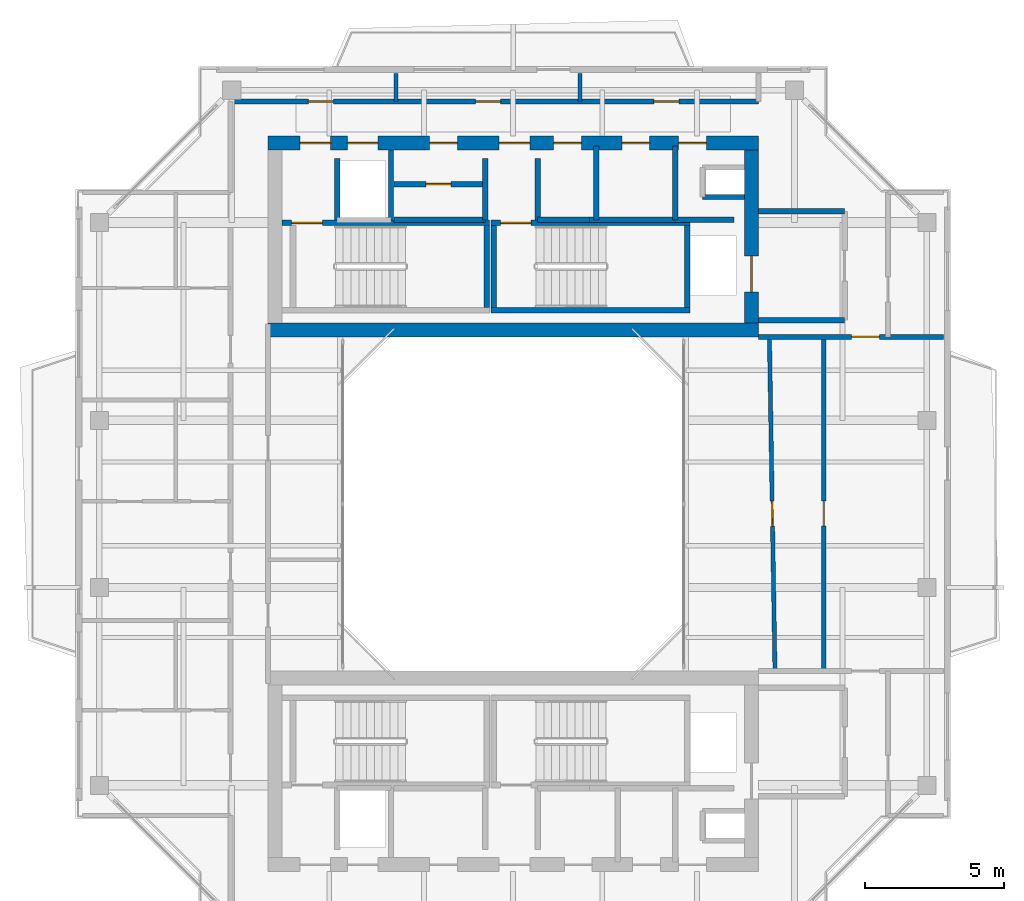
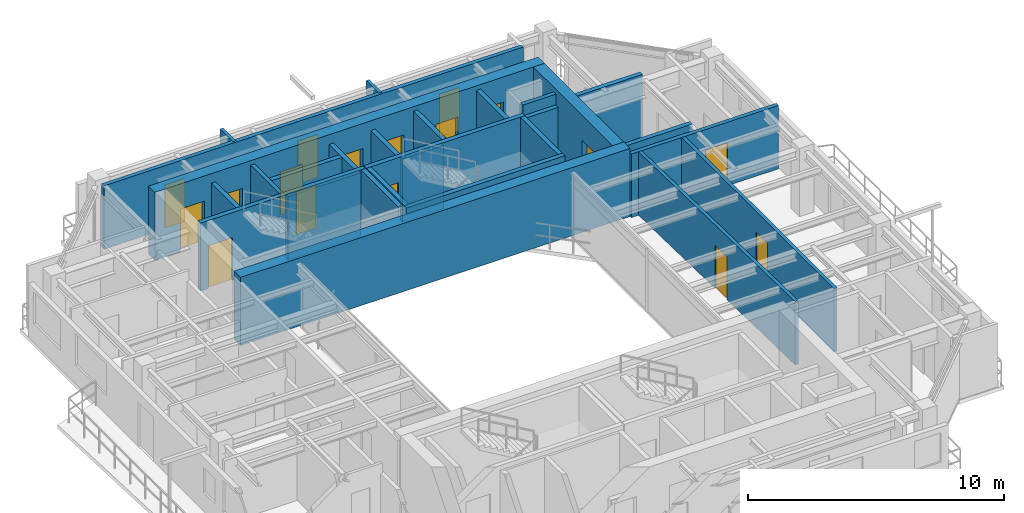
# One storey, part 11 of 14: 28 walls, 17 doors, 17 openings.
"""IFC4 building model written with IfcOpenShell, lengths in metres."""

from ifc_helpers import new_model, si_unit, direction, frame, frame_2d, origin, place, context, subcontext, project, spatial, rectangle, extrude, source, transform, mapped, material, layer, layer_set, type_object, element, fill, save


model = new_model("IFC4")

# Units and contexts
model_context = context("Model", 3, precision=1e-05, world=origin(), true_north=direction((0.0, 1.0)))
body_context = subcontext(model_context, "Body", "Model", "MODEL_VIEW")
ifc_project = project(units=[si_unit("LENGTHUNIT", "METRE"), si_unit("AREAUNIT", "SQUARE_METRE"), si_unit("VOLUMEUNIT", "CUBIC_METRE"), si_unit("PLANEANGLEUNIT", "RADIAN"), si_unit("MASSUNIT", "GRAM", prefix="KILO"), si_unit("THERMODYNAMICTEMPERATUREUNIT", "KELVIN"), si_unit("POWERUNIT", "WATT")], contexts=[model_context])

# Site, building, storey
site_placement = place(None, origin())
site = spatial("IfcSite", under=ifc_project, at=site_placement, CompositionType="ELEMENT")
building_placement = place(site_placement, origin())
building = spatial("IfcBuilding", under=site, at=building_placement, Name="Qiaomeng Ring Towers", CompositionType="ELEMENT")
storey_placement = place(building_placement, frame((0.0, 0.0, 260.0)))
storey = spatial("IfcBuildingStorey", under=building, at=storey_placement, Name="L76", CompositionType="ELEMENT", Elevation=260.0)

# Walls
ifc_material_1 = material(Name="Autoclaved aerated concrete block", Category="concrete")
ifc_layer_1 = layer(ifc_material_1, 0.199951171875, Name="Autoclaved aerated concrete block")
ifc_layer_set_1 = layer_set([ifc_layer_1], Name="Autoclaved aerated concrete block")
wall_type_1 = type_object("IfcWallType", Name="ARC-WL-PW1", PredefinedType="PARTITIONING", material=ifc_layer_set_1)
for number, where, z_axis, x_axis, name in (
    (1, (27.800048828125, 29.60009765625, 0.0), (0.0, 0.0, 1.0), (1.0, 0.0, 0.0), "L76 Interior Wall PW1"),
    (2, (27.800048828125, 33.5, 0.0), (0.0, 0.0, 1.0), (1.0, 0.0, 0.0), "L76 Interior Wall PW1"),
):
    element("IfcWall", number, at=place(storey_placement, frame(where, z_axis=z_axis, x_axis=x_axis)), inside=storey, type_object=wall_type_1, Name=name, PredefinedType="PARTITIONING", context=body_context, shape_type="SweptSolid", body=[
        extrude(rectangle(XDim=3.099853515625, YDim=0.199951171875, at=frame_2d((1.5498046875, 0.0))), origin(), (0.0, 0.0, 1.0), 3.030029296875),
    ])
for number, where, z_axis, x_axis, name in (
    (3, (12.679931640625, 33.18994140625, 0.0), (0.0, 0.0, 1.0), (0.0, 1.0, 0.0), "L76 Interior Wall PW1"),
    (4, (18.0, 33.18994140625, 0.0), (0.0, 0.0, 1.0), (0.0, 1.0, 0.0), "L76 Interior Wall PW1"),
    (5, (19.8798828125, 33.18994140625, 0.0), (0.0, 0.0, 1.0), (0.0, 1.0, 0.0), "L76 Interior Wall PW1"),
):
    element("IfcWall", number, at=place(storey_placement, frame(where, z_axis=z_axis, x_axis=x_axis)), inside=storey, type_object=wall_type_1, Name=name, PredefinedType="PARTITIONING", context=body_context, shape_type="SweptSolid", body=[
        extrude(rectangle(XDim=2.2099609375, YDim=0.199951171875, at=frame_2d((1.10498046875, 0.0))), origin(), (0.0, 0.0, 1.0), 3.030029296875),
    ])

# Wall, opening, door
wall_1_placement = place(storey_placement, frame((14.719970703125, 34.47998046875, 0.0), z_axis=(0.0, 0.0, 1.0), x_axis=(1.0, 0.0, 0.0)))
wall_1 = element("IfcWall", 6, at=wall_1_placement, inside=storey, type_object=wall_type_1, Name="L76 Interior Wall PW1", PredefinedType="PARTITIONING", context=body_context, shape_type="SweptSolid", body=[
    extrude(rectangle(XDim=3.280029296875, YDim=0.199951171875, at=frame_2d((1.64013671875, 0.0))), origin(), (0.0, 0.0, 1.0), 3.030029296875),
])
opening_1_placement = place(wall_1_placement, frame((1.14990234375, 0.0, 0.0)))
opening_1 = element("IfcOpeningElement", 7, at=opening_1_placement, cuts=wall_1, Name="Opening ID1", PredefinedType="OPENING", context=body_context, shape_type="SweptSolid", body=[
    extrude(rectangle(XDim=0.89990234375, YDim=2.050048828125, at=frame_2d((0.449951171875, 1.02490234375))), frame((0.0, 0.10986328125, 0.0), z_axis=(0.0, -1.0, 0.0), x_axis=(1.0, 0.0, 0.0)), (0.0, 0.0, 1.0), 0.219970703125),
])
ifc_material_2 = material(Name="Engineered oak timber", Category="wood")
door_type_1 = type_object("IfcDoorType", Name="ARC-DR-ID1", OperationType="NOTDEFINED", PredefinedType="DOOR", material=ifc_material_2)
shared_shape_1 = source(origin(), body_context, "Body", "SweptSolid", [
    extrude(rectangle(XDim=0.89990234375, YDim=2.050048828125, at=frame_2d((0.449951171875, 1.02490234375))), frame((0.0, 0.02490234375, 0.0), z_axis=(0.0, -1.0, 0.0), x_axis=(1.0, 0.0, 0.0)), (0.0, 0.0, 1.0), 0.050048828125),
])
door_1_placement = place(opening_1_placement, origin())
door_1 = element("IfcDoor", 8, at=door_1_placement, inside=storey, type_object=door_type_1, Name="L76 Door ID1", OperationType="SINGLE_SWING_LEFT", OverallHeight=2.050048828125, OverallWidth=0.89990234375, PredefinedType="DOOR", context=body_context, shape_type="MappedRepresentation", body=[
    mapped(shared_shape_1, transform((0.0, 0.0, 0.0), x_axis=(1.0, 0.0, 0.0), y_axis=(0.0, 1.0, 0.0), z_axis=(0.0, 0.0, 1.0), scale=1.0)),
])
fill(opening_1, door_1)

# Walls
wall_2_placement = place(storey_placement, frame((14.719970703125, 33.199951171875, 0.0), z_axis=(0.0, 0.0, 1.0), x_axis=(1.0, 0.0, 0.0)))
element("IfcWall", 9, at=wall_2_placement, inside=storey, type_object=wall_type_1, Name="L76 Interior Wall PW1", PredefinedType="PARTITIONING", context=body_context, shape_type="SweptSolid", body=[
    extrude(rectangle(XDim=3.280029296875, YDim=0.199951171875, at=frame_2d((1.64013671875, 0.0))), origin(), (0.0, 0.0, 1.0), 3.030029296875),
])
wall_3_placement = place(storey_placement, frame((24.820068359375, 33.199951171875, 0.0), z_axis=(0.0, 0.0, 1.0), x_axis=(0.0, 1.0, 0.0)))
element("IfcWall", 10, at=wall_3_placement, inside=storey, type_object=wall_type_1, Name="L76 Interior Wall PW1", PredefinedType="PARTITIONING", context=body_context, shape_type="SweptSolid", body=[
    extrude(rectangle(XDim=2.650146484375, YDim=0.199951171875, at=frame_2d((1.3251953125, 0.0))), origin(), (0.0, 0.0, 1.0), 3.030029296875),
])
wall_4_placement = place(storey_placement, frame((19.8798828125, 33.199951171875, 0.0), z_axis=(0.0, 0.0, 1.0), x_axis=(1.0, 0.0, 0.0)))
element("IfcWall", 11, at=wall_4_placement, inside=storey, type_object=wall_type_1, Name="L76 Interior Wall PW1", PredefinedType="PARTITIONING", context=body_context, shape_type="SweptSolid", body=[
    extrude(rectangle(XDim=1.8701171875, YDim=0.199951171875, at=frame_2d((0.93505859375, 0.0))), origin(), (0.0, 0.0, 1.0), 3.030029296875),
])
wall_5_placement = place(storey_placement, frame((21.97998046875, 33.199951171875, 0.0), z_axis=(0.0, 0.0, 1.0), x_axis=(0.0, 1.0, 0.0)))
element("IfcWall", 12, at=wall_5_placement, inside=storey, type_object=wall_type_1, Name="L76 Interior Wall PW1", PredefinedType="PARTITIONING", context=body_context, shape_type="SweptSolid", body=[
    extrude(rectangle(XDim=2.650146484375, YDim=0.199951171875, at=frame_2d((1.3251953125, 0.0))), origin(), (0.0, 0.0, 1.0), 3.030029296875),
])
wall_6_placement = place(storey_placement, frame((21.75, 33.199951171875, 0.0), z_axis=(0.0, 0.0, 1.0), x_axis=(1.0, 0.0, 0.0)))
element("IfcWall", 13, at=wall_6_placement, inside=storey, type_object=wall_type_1, Name="L76 Interior Wall PW1", PredefinedType="PARTITIONING", context=body_context, shape_type="SweptSolid", body=[
    extrude(rectangle(XDim=5.169921875, YDim=0.199951171875, at=frame_2d((2.5849609375, 0.0))), origin(), (0.0, 0.0, 1.0), 3.030029296875),
])

# Wall, openings, doors
ifc_layer_2 = layer(ifc_material_1, 0.179931640625, Name="Autoclaved aerated concrete block")
ifc_layer_set_2 = layer_set([ifc_layer_2], Name="Autoclaved aerated concrete block")
wall_type_2 = type_object("IfcWallType", Name="ARC-WL-PW2", PredefinedType="PARTITIONING", material=ifc_layer_set_2)
wall_7_placement = place(storey_placement, frame((8.85009765625, 37.43994140625, 0.0), z_axis=(0.0, 0.0, 1.0), x_axis=(1.0, 0.0, 0.0)))
wall_7 = element("IfcWall", 14, at=wall_7_placement, inside=storey, type_object=wall_type_2, Name="L76 Interior Wall PW2", PredefinedType="PARTITIONING", context=body_context, shape_type="SweptSolid", body=[
    extrude(rectangle(XDim=18.949951171875, YDim=0.179931640625, at=frame_2d((9.47509765625, 0.0))), origin(), (0.0, 0.0, 1.0), 3.030029296875),
])
opening_2_placement = place(wall_7_placement, frame((2.800048828125, 0.0, 0.0)))
opening_2 = element("IfcOpeningElement", 15, at=opening_2_placement, cuts=wall_7, Name="Opening ID1", PredefinedType="OPENING", context=body_context, shape_type="SweptSolid", body=[
    extrude(rectangle(XDim=0.89990234375, YDim=2.050048828125, at=frame_2d((0.449951171875, 1.02490234375))), frame((0.0, 0.099853515625, 0.0), z_axis=(0.0, -1.0, 0.0), x_axis=(1.0, 0.0, 0.0)), (0.0, 0.0, 1.0), 0.199951171875),
])
opening_3_placement = place(wall_7_placement, frame((8.800048828125, 0.0, 0.0)))
opening_3 = element("IfcOpeningElement", 16, at=opening_3_placement, cuts=wall_7, Name="Opening ID1", PredefinedType="OPENING", context=body_context, shape_type="SweptSolid", body=[
    extrude(rectangle(XDim=0.89990234375, YDim=2.050048828125, at=frame_2d((0.449951171875, 1.02490234375))), frame((0.0, 0.099853515625, 0.0), z_axis=(0.0, -1.0, 0.0), x_axis=(1.0, 0.0, 0.0)), (0.0, 0.0, 1.0), 0.199951171875),
])
opening_4_placement = place(wall_7_placement, frame((15.199951171875, 0.0, 0.0)))
opening_4 = element("IfcOpeningElement", 17, at=opening_4_placement, cuts=wall_7, Name="Opening ID1", PredefinedType="OPENING", context=body_context, shape_type="SweptSolid", body=[
    extrude(rectangle(XDim=0.89990234375, YDim=2.050048828125, at=frame_2d((0.449951171875, 1.02490234375))), frame((0.0, 0.099853515625, 0.0), z_axis=(0.0, -1.0, 0.0), x_axis=(1.0, 0.0, 0.0)), (0.0, 0.0, 1.0), 0.199951171875),
])
door_2_placement = place(opening_2_placement, origin())
door_2 = element("IfcDoor", 18, at=door_2_placement, inside=storey, type_object=door_type_1, Name="L76 Door ID1", OperationType="SINGLE_SWING_RIGHT", OverallHeight=2.050048828125, OverallWidth=0.89990234375, PredefinedType="DOOR", context=body_context, shape_type="MappedRepresentation", body=[
    mapped(shared_shape_1, transform((0.0, 0.0, 0.0), x_axis=(1.0, 0.0, 0.0), y_axis=(0.0, 1.0, 0.0), z_axis=(0.0, 0.0, 1.0), scale=1.0)),
])
fill(opening_2, door_2)
door_3_placement = place(opening_3_placement, origin())
door_3 = element("IfcDoor", 19, at=door_3_placement, inside=storey, type_object=door_type_1, Name="L76 Door ID1", OperationType="SINGLE_SWING_LEFT", OverallHeight=2.050048828125, OverallWidth=0.89990234375, PredefinedType="DOOR", context=body_context, shape_type="MappedRepresentation", body=[
    mapped(shared_shape_1, transform((0.0, 0.0, 0.0), x_axis=(1.0, 0.0, 0.0), y_axis=(0.0, 1.0, 0.0), z_axis=(0.0, 0.0, 1.0), scale=1.0)),
])
fill(opening_3, door_3)
door_4_placement = place(opening_4_placement, origin())
door_4 = element("IfcDoor", 20, at=door_4_placement, inside=storey, type_object=door_type_1, Name="L76 Door ID1", OperationType="SINGLE_SWING_RIGHT", OverallHeight=2.050048828125, OverallWidth=0.89990234375, PredefinedType="DOOR", context=body_context, shape_type="MappedRepresentation", body=[
    mapped(shared_shape_1, transform((0.0, 0.0, 0.0), x_axis=(1.0, 0.0, 0.0), y_axis=(0.0, 1.0, 0.0), z_axis=(0.0, 0.0, 1.0), scale=1.0)),
])
fill(opening_4, door_4)

# Wall, opening, door
wall_8_placement = place(storey_placement, frame((27.800048828125, 29.0, 0.0), z_axis=(0.0, 0.0, 1.0), x_axis=(1.0, 0.0, 0.0)))
wall_8 = element("IfcWall", 21, at=wall_8_placement, inside=storey, type_object=wall_type_2, Name="L76 Interior Wall PW2", PredefinedType="PARTITIONING", context=body_context, shape_type="SweptSolid", body=[
    extrude(rectangle(XDim=6.64990234375, YDim=0.179931640625, at=frame_2d((3.324951171875, 0.0))), origin(), (0.0, 0.0, 1.0), 3.030029296875),
])
opening_5_placement = place(wall_8_placement, frame((3.35009765625, 0.0, 0.0)))
opening_5 = element("IfcOpeningElement", 22, at=opening_5_placement, cuts=wall_8, Name="Opening FD4", PredefinedType="OPENING", context=body_context, shape_type="SweptSolid", body=[
    extrude(rectangle(XDim=1.0, YDim=2.050048828125, at=frame_2d((0.5, 1.02490234375))), frame((0.0, 0.099853515625, 0.0), z_axis=(0.0, -1.0, 0.0), x_axis=(1.0, 0.0, 0.0)), (0.0, 0.0, 1.0), 0.199951171875),
])
ifc_material_3 = material(Name="Engineered fire-rated oak timber", Category="wood")
door_type_2 = type_object("IfcDoorType", Name="ARC-DR-FD4", OperationType="NOTDEFINED", PredefinedType="DOOR", material=ifc_material_3)
shared_shape_2 = source(origin(), body_context, "Body", "SweptSolid", [
    extrude(rectangle(XDim=1.0, YDim=2.050048828125, at=frame_2d((0.5, 1.02490234375))), frame((0.0, 0.02490234375, 0.0), z_axis=(0.0, -1.0, 0.0), x_axis=(1.0, 0.0, 0.0)), (0.0, 0.0, 1.0), 0.050048828125),
])
door_5_placement = place(opening_5_placement, origin())
door_5 = element("IfcDoor", 23, at=door_5_placement, inside=storey, type_object=door_type_2, Name="L76 Door FD4", OperationType="SINGLE_SWING_RIGHT", OverallHeight=2.050048828125, OverallWidth=1.0, PredefinedType="DOOR", context=body_context, shape_type="MappedRepresentation", body=[
    mapped(shared_shape_2, transform((0.0, 0.0, 0.0), x_axis=(1.0, 0.0, 0.0), y_axis=(0.0, 1.0, 0.0), z_axis=(0.0, 0.0, 1.0), scale=1.0)),
])
fill(opening_5, door_5)

# Walls
ifc_material_4 = material(Name="Gypsum fireboard steel-stud partition", Category="steel")
ifc_layer_3 = layer(ifc_material_4, 0.14990234375, Name="Gypsum fireboard steel-stud partition")
ifc_layer_set_3 = layer_set([ifc_layer_3], Name="Gypsum fireboard steel-stud partition")
wall_type_3 = type_object("IfcWallType", Name="ARC-WL-PW3", PredefinedType="PARTITIONING", material=ifc_layer_set_3)
for number, where, z_axis, x_axis, name in (
    (24, (14.800048828125, 37.43994140625, 0.0), (0.0, 0.0, 1.0), (0.0, 1.0, 0.0), "L76 Interior Wall PW3"),
    (25, (21.39990234375, 37.43994140625, 0.0), (0.0, 0.0, 1.0), (0.0, 1.0, 0.0), "L76 Interior Wall PW3"),
):
    element("IfcWall", number, at=place(storey_placement, frame(where, z_axis=z_axis, x_axis=x_axis)), inside=storey, type_object=wall_type_3, Name=name, PredefinedType="PARTITIONING", context=body_context, shape_type="SweptSolid", body=[
        extrude(rectangle(XDim=1.010009765625, YDim=0.14990234375, at=frame_2d((0.5048828125, 0.0))), origin(), (0.0, 0.0, 1.0), 3.030029296875),
    ])

# Wall, opening, door
wall_9_placement = place(storey_placement, frame((28.199951171875, 29.0, 0.0), z_axis=(0.0, 0.0, 1.0), x_axis=(0.016660285018, -0.99986120782, 0.0)))
wall_9 = element("IfcWall", 26, at=wall_9_placement, inside=storey, type_object=wall_type_3, Name="L76 Interior Wall PW3", PredefinedType="PARTITIONING", context=body_context, shape_type="SweptSolid", body=[
    extrude(rectangle(XDim=12.001708984375, YDim=0.14990234375, at=frame_2d((6.0009765625, 0.0))), origin(), (0.0, 0.0, 1.0), 3.030029296875),
])
opening_6_placement = place(wall_9_placement, frame((5.902099609375, 0.0, 0.0)))
opening_6 = element("IfcOpeningElement", 27, at=opening_6_placement, cuts=wall_9, Name="Opening ID1", PredefinedType="OPENING", context=body_context, shape_type="SweptSolid", body=[
    extrude(rectangle(XDim=0.89990234375, YDim=2.050048828125, at=frame_2d((0.449951171875, 1.02490234375))), frame((0.0, 0.0849609375, 0.0), z_axis=(0.0, -1.0, 0.0), x_axis=(1.0, 0.0, 0.0)), (0.0, 0.0, 1.0), 0.169921875),
])
door_6_placement = place(opening_6_placement, frame((0.89990234375, 0.0, 0.0), z_axis=(0.0, 0.0, 1.0), x_axis=(-1.0, 0.0, 0.0)))
door_6 = element("IfcDoor", 28, at=door_6_placement, inside=storey, type_object=door_type_1, Name="L76 Door ID1", OperationType="SINGLE_SWING_LEFT", OverallHeight=2.050048828125, OverallWidth=0.89990234375, PredefinedType="DOOR", context=body_context, shape_type="MappedRepresentation", body=[
    mapped(shared_shape_1, transform((0.0, 0.0, 0.0), x_axis=(1.0, 0.0, 0.0), y_axis=(0.0, 1.0, 0.0), z_axis=(0.0, 0.0, 1.0), scale=1.0)),
])
fill(opening_6, door_6)

wall_10_placement = place(storey_placement, frame((30.14990234375, 17.0, 0.0), z_axis=(0.0, 0.0, 1.0), x_axis=(0.0, 1.0, 0.0)))
wall_10 = element("IfcWall", 29, at=wall_10_placement, inside=storey, type_object=wall_type_3, Name="L76 Interior Wall PW3", PredefinedType="PARTITIONING", context=body_context, shape_type="SweptSolid", body=[
    extrude(rectangle(XDim=12.0, YDim=0.14990234375, at=frame_2d((6.0, 0.0))), origin(), (0.0, 0.0, 1.0), 3.030029296875),
])
opening_7_placement = place(wall_10_placement, frame((5.199951171875, 0.0, 0.0)))
opening_7 = element("IfcOpeningElement", 30, at=opening_7_placement, cuts=wall_10, Name="Opening ID1", PredefinedType="OPENING", context=body_context, shape_type="SweptSolid", body=[
    extrude(rectangle(XDim=0.89990234375, YDim=2.050048828125, at=frame_2d((0.449951171875, 1.02490234375))), frame((0.0, 0.0849609375, 0.0), z_axis=(0.0, -1.0, 0.0), x_axis=(1.0, 0.0, 0.0)), (0.0, 0.0, 1.0), 0.169921875),
])
door_7_placement = place(opening_7_placement, origin())
door_7 = element("IfcDoor", 31, at=door_7_placement, inside=storey, type_object=door_type_1, Name="L76 Door ID1", OperationType="SINGLE_SWING_RIGHT", OverallHeight=2.050048828125, OverallWidth=0.89990234375, PredefinedType="DOOR", context=body_context, shape_type="MappedRepresentation", body=[
    mapped(shared_shape_1, transform((0.0, 0.0, 0.0), x_axis=(1.0, 0.0, 0.0), y_axis=(0.0, 1.0, 0.0), z_axis=(0.0, 0.0, 1.0), scale=1.0)),
])
fill(opening_7, door_7)

# Walls
ifc_material_5 = material(Name="Concrete C40", Category="concrete")
ifc_layer_4 = layer(ifc_material_5, 0.199951171875, Name="Concrete C40")
ifc_layer_set_4 = layer_set([ifc_layer_4], Name="Concrete C40")
wall_type_4 = type_object("IfcWallType", Name="STR-WL-STSHAFT", PredefinedType="SHEAR", material=ifc_layer_set_4)
wall_11_placement = place(storey_placement, frame((14.6201171875, 33.199951171875, 0.0), z_axis=(0.0, 0.0, 1.0), x_axis=(0.0, 1.0, 0.0)))
element("IfcWall", 32, at=wall_11_placement, inside=storey, type_object=wall_type_4, Name="L76 Lift LP5-LP3 Shaft Divider Wall", PredefinedType="SHEAR", context=body_context, shape_type="SweptSolid", body=[
    extrude(rectangle(XDim=2.5, YDim=0.179931640625, at=frame_2d((1.25, 0.0))), origin(), (0.0, 0.0, 1.0), 3.030029296875),
])
wall_12_placement = place(storey_placement, frame((25.800048828125, 34.02001953125, 0.0), z_axis=(0.0, 0.0, 1.0), x_axis=(1.0, 0.0, 0.0)))
element("IfcWall", 33, at=wall_12_placement, inside=storey, type_object=wall_type_4, Name="L76 Riser RSR1 South Shaft Wall N", PredefinedType="SHEAR", context=body_context, shape_type="SweptSolid", body=[
    extrude(rectangle(XDim=1.5, YDim=0.179931640625, at=frame_2d((0.75, 0.0))), origin(), (0.0, 0.0, 1.0), 3.030029296875),
])

# Wall, opening, door
wall_13_placement = place(storey_placement, frame((10.699951171875, 33.090087890625, 0.0), z_axis=(0.0, 0.0, 1.0), x_axis=(1.0, 0.0, 0.0)))
wall_13 = element("IfcWall", 34, at=wall_13_placement, inside=storey, type_object=wall_type_4, Name="L76 Stair ST1 North Shaft Shear Wall", PredefinedType="SHEAR", context=body_context, shape_type="SweptSolid", body=[
    extrude(rectangle(XDim=7.449951171875, YDim=0.199951171875, at=frame_2d((3.72509765625, 0.0))), origin(), (0.0, 0.0, 1.0), 3.25),
])
opening_8_placement = place(wall_13_placement, frame((0.35009765625, 0.0, 0.0)))
opening_8 = element("IfcOpeningElement", 35, at=opening_8_placement, cuts=wall_13, Name="Opening FD3", PredefinedType="OPENING", context=body_context, shape_type="SweptSolid", body=[
    extrude(rectangle(XDim=1.10009765625, YDim=2.050048828125, at=frame_2d((0.550048828125, 1.02490234375))), frame((0.0, 0.10986328125, 0.0), z_axis=(0.0, -1.0, 0.0), x_axis=(1.0, 0.0, 0.0)), (0.0, 0.0, 1.0), 0.219970703125),
])
ifc_material_6 = material(Name="Galvanised steel", Category="steel")
door_type_3 = type_object("IfcDoorType", Name="ARC-DR-FD3", OperationType="NOTDEFINED", PredefinedType="DOOR", material=ifc_material_6)
shared_shape_3 = source(origin(), body_context, "Body", "SweptSolid", [
    extrude(rectangle(XDim=1.10009765625, YDim=2.050048828125, at=frame_2d((0.550048828125, 1.02490234375))), frame((0.0, 0.02490234375, 0.0), z_axis=(0.0, -1.0, 0.0), x_axis=(1.0, 0.0, 0.0)), (0.0, 0.0, 1.0), 0.050048828125),
])
door_8_placement = place(opening_8_placement, origin())
door_8 = element("IfcDoor", 36, at=door_8_placement, inside=storey, type_object=door_type_3, Name="L76 Stair ST1 Exit Door", OperationType="SINGLE_SWING_RIGHT", OverallHeight=2.050048828125, OverallWidth=1.10009765625, PredefinedType="DOOR", context=body_context, shape_type="MappedRepresentation", body=[
    mapped(shared_shape_3, transform((0.0, 0.0, 0.0), x_axis=(1.0, 0.0, 0.0), y_axis=(0.0, 1.0, 0.0), z_axis=(0.0, 0.0, 1.0), scale=1.0)),
])
fill(opening_8, door_8)

# Walls
wall_14_placement = place(storey_placement, frame((18.050048828125, 30.050048828125, 0.0), z_axis=(0.0, 0.0, 1.0), x_axis=(0.0, 1.0, 0.0)))
element("IfcWall", 37, at=wall_14_placement, inside=storey, type_object=wall_type_4, Name="L76 Stair ST1 East Shaft Shear Wall", PredefinedType="SHEAR", context=body_context, shape_type="SweptSolid", body=[
    extrude(rectangle(XDim=2.93994140625, YDim=0.199951171875, at=frame_2d((1.469970703125, 0.0))), origin(), (0.0, 0.0, 1.0), 3.25),
])
wall_15_placement = place(storey_placement, frame((18.199951171875, 29.949951171875, 0.0), z_axis=(0.0, 0.0, 1.0), x_axis=(1.0, 0.0, 0.0)))
element("IfcWall", 38, at=wall_15_placement, inside=storey, type_object=wall_type_4, Name="L76 Stair ST2 South Shaft Shear Wall", PredefinedType="SHEAR", context=body_context, shape_type="SweptSolid", body=[
    extrude(rectangle(XDim=7.150146484375, YDim=0.199951171875, at=frame_2d((3.5751953125, 0.0))), origin(), (0.0, 0.0, 1.0), 3.25),
])

# Wall, opening, door
wall_16_placement = place(storey_placement, frame((18.199951171875, 33.090087890625, 0.0), z_axis=(0.0, 0.0, 1.0), x_axis=(1.0, 0.0, 0.0)))
wall_16 = element("IfcWall", 39, at=wall_16_placement, inside=storey, type_object=wall_type_4, Name="L76 Stair ST2 North Shaft Shear Wall", PredefinedType="SHEAR", context=body_context, shape_type="SweptSolid", body=[
    extrude(rectangle(XDim=7.150146484375, YDim=0.199951171875, at=frame_2d((3.5751953125, 0.0))), origin(), (0.0, 0.0, 1.0), 3.25),
])
opening_9_placement = place(wall_16_placement, frame((0.35009765625, 0.0, 0.0)))
opening_9 = element("IfcOpeningElement", 40, at=opening_9_placement, cuts=wall_16, Name="Opening FD3", PredefinedType="OPENING", context=body_context, shape_type="SweptSolid", body=[
    extrude(rectangle(XDim=1.10009765625, YDim=2.050048828125, at=frame_2d((0.550048828125, 1.02490234375))), frame((0.0, 0.10986328125, 0.0), z_axis=(0.0, -1.0, 0.0), x_axis=(1.0, 0.0, 0.0)), (0.0, 0.0, 1.0), 0.219970703125),
])
door_9_placement = place(opening_9_placement, origin())
door_9 = element("IfcDoor", 41, at=door_9_placement, inside=storey, type_object=door_type_3, Name="L76 Stair ST2 Exit Door", OperationType="SINGLE_SWING_RIGHT", OverallHeight=2.050048828125, OverallWidth=1.10009765625, PredefinedType="DOOR", context=body_context, shape_type="MappedRepresentation", body=[
    mapped(shared_shape_3, transform((0.0, 0.0, 0.0), x_axis=(1.0, 0.0, 0.0), y_axis=(0.0, 1.0, 0.0), z_axis=(0.0, 0.0, 1.0), scale=1.0)),
])
fill(opening_9, door_9)

# Walls
for number, where, z_axis, x_axis, name in (
    (42, (18.300048828125, 30.050048828125, 0.0), (0.0, 0.0, 1.0), (0.0, 1.0, 0.0), "L76 Stair ST2 West Shaft Shear Wall"),
    (43, (25.25, 30.050048828125, 0.0), (0.0, 0.0, 1.0), (0.0, 1.0, 0.0), "L76 Stair ST2 East Shaft Shear Wall"),
):
    element("IfcWall", number, at=place(storey_placement, frame(where, z_axis=z_axis, x_axis=x_axis)), inside=storey, type_object=wall_type_4, Name=name, PredefinedType="SHEAR", context=body_context, shape_type="SweptSolid", body=[
        extrude(rectangle(XDim=2.93994140625, YDim=0.199951171875, at=frame_2d((1.469970703125, 0.0))), origin(), (0.0, 0.0, 1.0), 3.25),
    ])
ifc_layer_5 = layer(ifc_material_5, 0.5, Name="Concrete C40")
ifc_layer_set_5 = layer_set([ifc_layer_5], Name="Concrete C40")
wall_type_5 = type_object("IfcWallType", Name="STR-WL-SW3", PredefinedType="SHEAR", material=ifc_layer_set_5)
wall_17_placement = place(storey_placement, frame((10.199951171875, 29.25, 0.0), z_axis=(0.0, 0.0, 1.0), x_axis=(1.0, 0.0, 0.0)))
element("IfcWall", 44, at=wall_17_placement, inside=storey, type_object=wall_type_5, Name="L76 T1NC south core shear wall", PredefinedType="SHEAR", context=body_context, shape_type="SweptSolid", body=[
    extrude(rectangle(XDim=17.60009765625, YDim=0.5, at=frame_2d((8.800048828125, 0.0))), origin(), (0.0, 0.0, 1.0), 3.25),
])

# Wall, openings, doors
wall_18_placement = place(storey_placement, frame((10.199951171875, 35.949951171875, 0.0), z_axis=(0.0, 0.0, 1.0), x_axis=(1.0, 0.0, 0.0)))
wall_18 = element("IfcWall", 45, at=wall_18_placement, inside=storey, type_object=wall_type_5, Name="L76 T1NC north core shear wall", PredefinedType="SHEAR", context=body_context, shape_type="SweptSolid", body=[
    extrude(rectangle(XDim=17.60009765625, YDim=0.5, at=frame_2d((8.800048828125, 0.0))), origin(), (0.0, 0.0, 1.0), 3.25),
])
opening_10_placement = place(wall_18_placement, frame((1.14990234375, 0.0, 0.0)))
opening_10 = element("IfcOpeningElement", 46, at=opening_10_placement, cuts=wall_18, Name="Opening FD3", PredefinedType="OPENING", context=body_context, shape_type="SweptSolid", body=[
    extrude(rectangle(XDim=1.10009765625, YDim=2.050048828125, at=frame_2d((0.550048828125, 1.02490234375))), frame((0.0, 0.260009765625, 0.0), z_axis=(0.0, -1.0, 0.0), x_axis=(1.0, 0.0, 0.0)), (0.0, 0.0, 1.0), 0.52001953125),
])
opening_11_placement = place(wall_18_placement, frame((8.300048828125, 0.0, 0.0)))
opening_11 = element("IfcOpeningElement", 47, at=opening_11_placement, cuts=wall_18, Name="Opening FD3", PredefinedType="OPENING", context=body_context, shape_type="SweptSolid", body=[
    extrude(rectangle(XDim=1.10009765625, YDim=2.050048828125, at=frame_2d((0.550048828125, 1.02490234375))), frame((0.0, 0.260009765625, 0.0), z_axis=(0.0, -1.0, 0.0), x_axis=(1.0, 0.0, 0.0)), (0.0, 0.0, 1.0), 0.52001953125),
])
opening_12_placement = place(wall_18_placement, frame((2.85009765625, 0.0, 0.0)))
opening_12 = element("IfcOpeningElement", 48, at=opening_12_placement, cuts=wall_18, Name="Opening LD1", PredefinedType="OPENING", context=body_context, shape_type="SweptSolid", body=[
    extrude(rectangle(XDim=1.10009765625, YDim=2.050048828125, at=frame_2d((0.550048828125, 1.02490234375))), frame((0.0, 0.260009765625, 0.0), z_axis=(0.0, -1.0, 0.0), x_axis=(1.0, 0.0, 0.0)), (0.0, 0.0, 1.0), 0.52001953125),
])
opening_13_placement = place(wall_18_placement, frame((5.800048828125, 0.0, 0.0)))
opening_13 = element("IfcOpeningElement", 49, at=opening_13_placement, cuts=wall_18, Name="Opening FD1", PredefinedType="OPENING", context=body_context, shape_type="SweptSolid", body=[
    extrude(rectangle(XDim=1.0, YDim=2.050048828125, at=frame_2d((0.5, 1.02490234375))), frame((0.0, 0.260009765625, 0.0), z_axis=(0.0, -1.0, 0.0), x_axis=(1.0, 0.0, 0.0)), (0.0, 0.0, 1.0), 0.52001953125),
])
opening_14_placement = place(wall_18_placement, frame((14.739990234375, 0.0, 0.0)))
opening_14 = element("IfcOpeningElement", 50, at=opening_14_placement, cuts=wall_18, Name="Opening FD1", PredefinedType="OPENING", context=body_context, shape_type="SweptSolid", body=[
    extrude(rectangle(XDim=1.0, YDim=2.050048828125, at=frame_2d((0.5, 1.02490234375))), frame((0.0, 0.260009765625, 0.0), z_axis=(0.0, -1.0, 0.0), x_axis=(1.0, 0.0, 0.0)), (0.0, 0.0, 1.0), 0.52001953125),
])
opening_15_placement = place(wall_18_placement, frame((10.25, 0.0, 0.0)))
opening_15 = element("IfcOpeningElement", 51, at=opening_15_placement, cuts=wall_18, Name="Opening FD1", PredefinedType="OPENING", context=body_context, shape_type="SweptSolid", body=[
    extrude(rectangle(XDim=1.0, YDim=2.050048828125, at=frame_2d((0.5, 1.02490234375))), frame((0.0, 0.260009765625, 0.0), z_axis=(0.0, -1.0, 0.0), x_axis=(1.0, 0.0, 0.0)), (0.0, 0.0, 1.0), 0.52001953125),
])
opening_16_placement = place(wall_18_placement, frame((12.699951171875, 0.0, 0.0)))
opening_16 = element("IfcOpeningElement", 52, at=opening_16_placement, cuts=wall_18, Name="Opening FD1", PredefinedType="OPENING", context=body_context, shape_type="SweptSolid", body=[
    extrude(rectangle(XDim=1.0, YDim=2.050048828125, at=frame_2d((0.5, 1.02490234375))), frame((0.0, 0.260009765625, 0.0), z_axis=(0.0, -1.0, 0.0), x_axis=(1.0, 0.0, 0.0)), (0.0, 0.0, 1.0), 0.52001953125),
])
door_10_placement = place(opening_10_placement, origin())
door_10 = element("IfcDoor", 53, at=door_10_placement, inside=storey, type_object=door_type_3, Name="L76 Stair ST1 Lobby Door", OperationType="SINGLE_SWING_LEFT", OverallHeight=2.050048828125, OverallWidth=1.10009765625, PredefinedType="DOOR", context=body_context, shape_type="MappedRepresentation", body=[
    mapped(shared_shape_3, transform((0.0, 0.0, 0.0), x_axis=(1.0, 0.0, 0.0), y_axis=(0.0, 1.0, 0.0), z_axis=(0.0, 0.0, 1.0), scale=1.0)),
])
fill(opening_10, door_10)
door_11_placement = place(opening_11_placement, origin())
door_11 = element("IfcDoor", 54, at=door_11_placement, inside=storey, type_object=door_type_3, Name="L76 Stair ST2 Lobby Door", OperationType="SINGLE_SWING_LEFT", OverallHeight=2.050048828125, OverallWidth=1.10009765625, PredefinedType="DOOR", context=body_context, shape_type="MappedRepresentation", body=[
    mapped(shared_shape_3, transform((0.0, 0.0, 0.0), x_axis=(1.0, 0.0, 0.0), y_axis=(0.0, 1.0, 0.0), z_axis=(0.0, 0.0, 1.0), scale=1.0)),
])
fill(opening_11, door_11)
ifc_material_7 = material(Name="Stainless steel 316", Category="steel")
door_type_4 = type_object("IfcDoorType", Name="ARC-DR-LD1", OperationType="NOTDEFINED", PredefinedType="DOOR", material=ifc_material_7)
door_12_placement = place(opening_12_placement, origin())
door_12 = element("IfcDoor", 55, at=door_12_placement, inside=storey, type_object=door_type_4, Name="L76 High-Zone Lift LP5 Landing Door", OperationType="SLIDING_TO_LEFT", OverallHeight=2.050048828125, OverallWidth=1.10009765625, PredefinedType="DOOR", context=body_context, shape_type="MappedRepresentation", body=[
    mapped(shared_shape_3, transform((0.0, 0.0, 0.0), x_axis=(1.0, 0.0, 0.0), y_axis=(0.0, 1.0, 0.0), z_axis=(0.0, 0.0, 1.0), scale=1.0)),
])
fill(opening_12, door_12)
door_type_5 = type_object("IfcDoorType", Name="ARC-DR-FD1", OperationType="NOTDEFINED", PredefinedType="DOOR", material=ifc_material_6)
door_13_placement = place(opening_13_placement, origin())
door_13 = element("IfcDoor", 56, at=door_13_placement, inside=storey, type_object=door_type_5, Name="L76 High-Zone Tea Pantry Door", OperationType="SINGLE_SWING_RIGHT", OverallHeight=2.050048828125, OverallWidth=1.0, PredefinedType="DOOR", context=body_context, shape_type="MappedRepresentation", body=[
    mapped(shared_shape_2, transform((0.0, 0.0, 0.0), x_axis=(1.0, 0.0, 0.0), y_axis=(0.0, 1.0, 0.0), z_axis=(0.0, 0.0, 1.0), scale=1.0)),
])
fill(opening_13, door_13)
door_14_placement = place(opening_14_placement, origin())
door_14 = element("IfcDoor", 57, at=door_14_placement, inside=storey, type_object=door_type_5, Name="L76 North Electrical Riser Door", OperationType="SINGLE_SWING_RIGHT", OverallHeight=2.050048828125, OverallWidth=1.0, PredefinedType="DOOR", context=body_context, shape_type="MappedRepresentation", body=[
    mapped(shared_shape_2, transform((0.0, 0.0, 0.0), x_axis=(1.0, 0.0, 0.0), y_axis=(0.0, 1.0, 0.0), z_axis=(0.0, 0.0, 1.0), scale=1.0)),
])
fill(opening_14, door_14)
door_15_placement = place(opening_15_placement, origin())
door_15 = element("IfcDoor", 58, at=door_15_placement, inside=storey, type_object=door_type_5, Name="L76 North Cleaners Store Door", OperationType="SINGLE_SWING_RIGHT", OverallHeight=2.050048828125, OverallWidth=1.0, PredefinedType="DOOR", context=body_context, shape_type="MappedRepresentation", body=[
    mapped(shared_shape_2, transform((0.0, 0.0, 0.0), x_axis=(1.0, 0.0, 0.0), y_axis=(0.0, 1.0, 0.0), z_axis=(0.0, 0.0, 1.0), scale=1.0)),
])
fill(opening_15, door_15)
door_16_placement = place(opening_16_placement, origin())
door_16 = element("IfcDoor", 59, at=door_16_placement, inside=storey, type_object=door_type_5, Name="L76 North Facilities Management Office Door", OperationType="SINGLE_SWING_LEFT", OverallHeight=2.050048828125, OverallWidth=1.0, PredefinedType="DOOR", context=body_context, shape_type="MappedRepresentation", body=[
    mapped(shared_shape_2, transform((0.0, 0.0, 0.0), x_axis=(1.0, 0.0, 0.0), y_axis=(0.0, 1.0, 0.0), z_axis=(0.0, 0.0, 1.0), scale=1.0)),
])
fill(opening_16, door_16)

# Wall, opening, door
wall_19_placement = place(storey_placement, frame((27.550048828125, 29.5, 0.0), z_axis=(0.0, 0.0, 1.0), x_axis=(0.0, 1.0, 0.0)))
wall_19 = element("IfcWall", 60, at=wall_19_placement, inside=storey, type_object=wall_type_5, Name="L76 T1NC east core shear wall", PredefinedType="SHEAR", context=body_context, shape_type="SweptSolid", body=[
    extrude(rectangle(XDim=6.199951171875, YDim=0.5, at=frame_2d((3.10009765625, 0.0))), origin(), (0.0, 0.0, 1.0), 3.25),
])
opening_17_placement = place(wall_19_placement, frame((1.10009765625, 0.0, 0.0)))
opening_17 = element("IfcOpeningElement", 61, at=opening_17_placement, cuts=wall_19, Name="Opening LD2", PredefinedType="OPENING", context=body_context, shape_type="SweptSolid", body=[
    extrude(rectangle(XDim=1.300048828125, YDim=2.050048828125, at=frame_2d((0.64990234375, 1.02490234375))), frame((0.0, 0.260009765625, 0.0), z_axis=(0.0, -1.0, 0.0), x_axis=(1.0, 0.0, 0.0)), (0.0, 0.0, 1.0), 0.52001953125),
])
door_type_6 = type_object("IfcDoorType", Name="ARC-DR-LD2", OperationType="NOTDEFINED", PredefinedType="DOOR", material=ifc_material_7)
shared_shape_4 = source(origin(), body_context, "Body", "SweptSolid", [
    extrude(rectangle(XDim=1.300048828125, YDim=2.050048828125, at=frame_2d((0.64990234375, 1.02490234375))), frame((0.0, 0.02490234375, 0.0), z_axis=(0.0, -1.0, 0.0), x_axis=(1.0, 0.0, 0.0)), (0.0, 0.0, 1.0), 0.050048828125),
])
door_17_placement = place(opening_17_placement, origin())
door_17 = element("IfcDoor", 62, at=door_17_placement, inside=storey, type_object=door_type_6, Name="L76 Firefighting Lift FL1 Landing Door", OperationType="SLIDING_TO_LEFT", OverallHeight=2.050048828125, OverallWidth=1.300048828125, PredefinedType="DOOR", context=body_context, shape_type="MappedRepresentation", body=[
    mapped(shared_shape_4, transform((0.0, 0.0, 0.0), x_axis=(1.0, 0.0, 0.0), y_axis=(0.0, 1.0, 0.0), z_axis=(0.0, 0.0, 1.0), scale=1.0)),
])
fill(opening_17, door_17)

save(model, "model.ifc")
